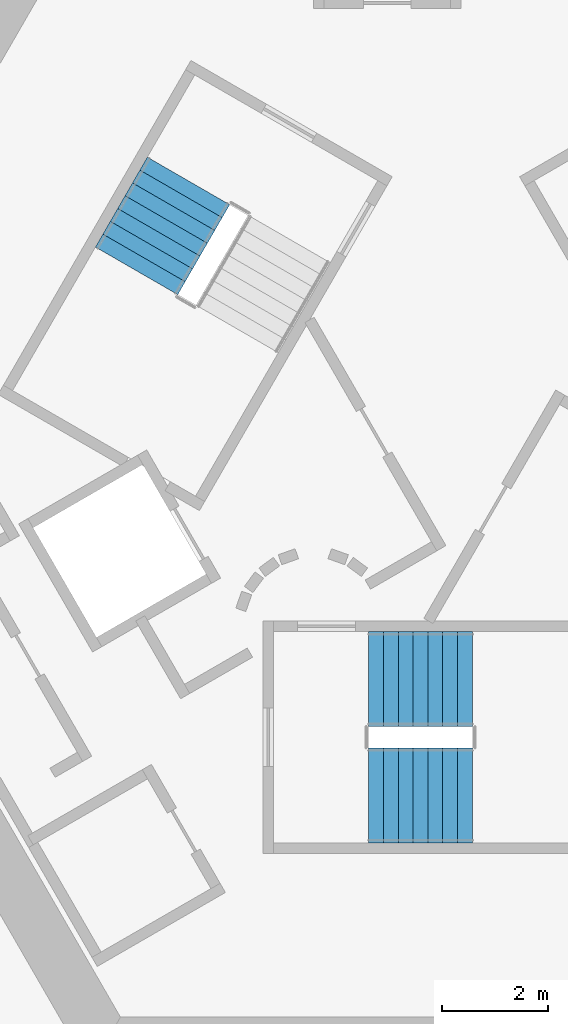
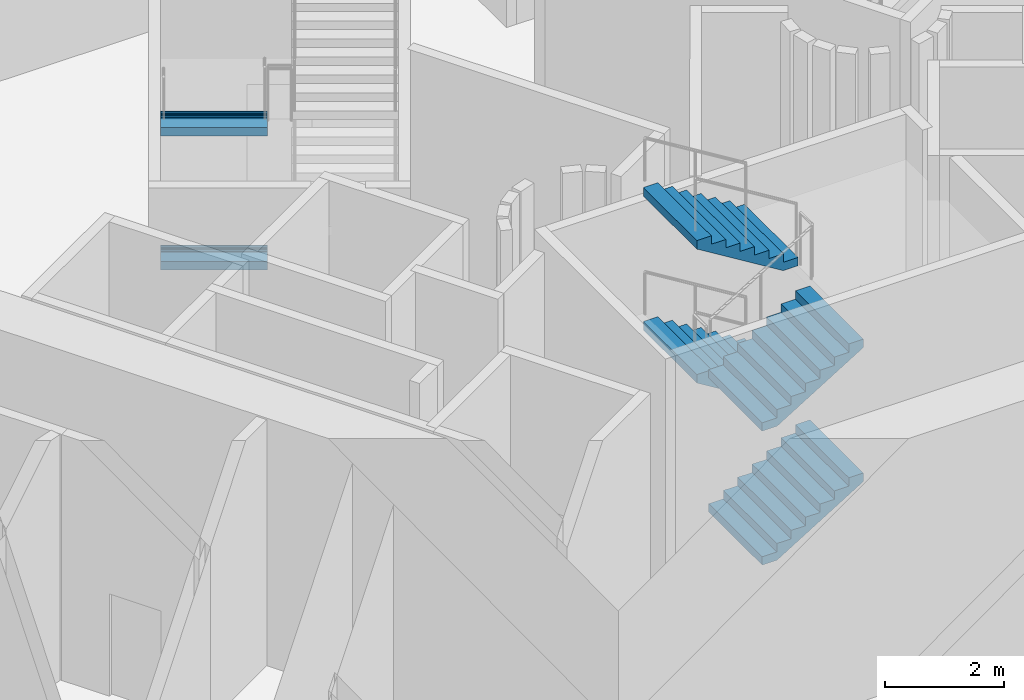
# One storey, part 9 of 12: 6 stair flights, 2 elements without a shape of their own.
"""IFC4 building model written with IfcOpenShell, lengths in metres."""

from ifc_helpers import new_model, si_unit, direction, frame, origin, place, context, subcontext, project, spatial, triangles, material, type_object, element, aggregate, save


model = new_model("IFC4")

# Units and contexts
model_context = context("Model", 3, precision=1e-05, world=origin(), true_north=direction((0.0, 1.0)))
body_context = subcontext(model_context, "Body", "Model", "MODEL_VIEW")
ifc_project = project(units=[si_unit("LENGTHUNIT", "METRE"), si_unit("AREAUNIT", "SQUARE_METRE"), si_unit("VOLUMEUNIT", "CUBIC_METRE"), si_unit("PLANEANGLEUNIT", "RADIAN"), si_unit("MASSUNIT", "GRAM", prefix="KILO")], contexts=[model_context])

# Site, building, storey
site_placement = place(None, origin())
site = spatial("IfcSite", under=ifc_project, at=site_placement, CompositionType="ELEMENT")
building_placement = place(site_placement, origin())
building = spatial("IfcBuilding", under=site, at=building_placement, Name="Entoto Arch Interchange Tower", CompositionType="ELEMENT")
storey_placement = place(building_placement, frame((0.0, 0.0, -11.0)))
storey = spatial("IfcBuildingStorey", under=building, at=storey_placement, Name="B2", CompositionType="ELEMENT", Elevation=-11.0)

# Stair, stair flights
ifc_material = material(Name="Concrete C40/50", Category="concrete")
stair_type = type_object("IfcStairType", Name="EXIT STAIR RC 1800", PredefinedType="HALF_TURN_STAIR", material=ifc_material)
stair_1_placement = place(storey_placement, origin())
stair_1 = element("IfcStair", 1, at=stair_1_placement, inside=storey, type_object=stair_type, Name="B2 Exit stair S", PredefinedType="HALF_TURN_STAIR")
stair_flight_type = type_object("IfcStairFlightType", Name="EXIT STAIR FLIGHT RC 1800", PredefinedType="STRAIGHT", material=ifc_material)
stair_flight_1_placement = place(storey_placement, frame((-1.64990234375, -4.300048828125, 0.0), z_axis=(0.0, 0.0, 1.0), x_axis=(1.0, 0.0, 0.0)))
stair_flight_1 = element("IfcStairFlight", 2, at=stair_flight_1_placement, type_object=stair_flight_type, Name="ST-S flight 1", NumberOfRisers=8, NumberOfTreads=7, PredefinedType="STRAIGHT", RiserHeight=0.171875, TreadLength=0.28, context=body_context, shape_type="Tessellation", body=[
    triangles([(-0.003, -0.900024, 0.0), (-0.003, -0.900024, 0.171875), (0.28, -0.900024, 0.171875), (0.28, -0.900024, 0.34375), (0.56, -0.900024, 0.34375), (0.56, -0.900024, 0.515625), (0.84, -0.900024, 0.515625), (0.84, -0.900024, 0.6875), (1.12, -0.900024, 0.6875), (1.12, -0.900024, 0.859375), (1.4, -0.900024, 0.859375), (1.4, -0.900024, 1.03125), (1.68, -0.900024, 1.03125), (1.68, -0.900024, 1.203125), (1.96, -0.900024, 1.203125), (1.963, -0.900024, 1.203125), (1.963, -0.900024, 1.029076), (0.286542, -0.900024, 0.0), (-0.003, 0.900024, 0.0), (-0.003, 0.900024, 0.171875), (0.28, 0.900024, 0.171875), (0.28, 0.900024, 0.34375), (0.56, 0.900024, 0.34375), (0.56, 0.900024, 0.515625), (0.84, 0.900024, 0.515625), (0.84, 0.900024, 0.6875), (1.12, 0.900024, 0.6875), (1.12, 0.900024, 0.859375), (1.4, 0.900024, 0.859375), (1.4, 0.900024, 1.03125), (1.68, 0.900024, 1.03125), (1.68, 0.900024, 1.203125), (1.96, 0.900024, 1.203125), (1.963, 0.900024, 1.203125), (1.963, 0.900024, 1.029076), (0.286542, 0.900024, 0.0), (-0.003, -0.450012, 0.0), (-0.003, -0.450012, 0.171875), (-0.003, 0.0, 0.0), (-0.003, 0.0, 0.171875), (-0.003, 0.450012, 0.0), (-0.003, 0.450012, 0.171875), (0.28, -0.450012, 0.171875), (0.28, 0.0, 0.171875), (0.28, 0.450012, 0.171875), (0.28, -0.450012, 0.34375), (0.28, 0.0, 0.34375), (0.28, 0.450012, 0.34375), (0.56, -0.450012, 0.34375), (0.56, 0.0, 0.34375), (0.56, 0.450012, 0.34375), (0.56, -0.450012, 0.515625), (0.56, 0.0, 0.515625), (0.56, 0.450012, 0.515625), (0.84, -0.450012, 0.515625), (0.84, 0.0, 0.515625), (0.84, 0.450012, 0.515625), (0.84, -0.450012, 0.6875), (0.84, 0.0, 0.6875), (0.84, 0.450012, 0.6875), (1.12, -0.450012, 0.6875), (1.12, 0.0, 0.6875), (1.12, 0.450012, 0.6875), (1.12, -0.450012, 0.859375), (1.12, 0.0, 0.859375), (1.12, 0.450012, 0.859375), (1.4, -0.450012, 0.859375), (1.4, 0.0, 0.859375), (1.4, 0.450012, 0.859375), (1.4, -0.450012, 1.03125), (1.4, 0.0, 1.03125), (1.4, 0.450012, 1.03125), (1.68, -0.450012, 1.03125), (1.68, 0.0, 1.03125), (1.68, 0.450012, 1.03125), (1.68, -0.450012, 1.203125), (1.68, 0.0, 1.203125), (1.68, 0.450012, 1.203125), (1.96, -0.450012, 1.203125), (1.96, 0.0, 1.203125), (1.96, 0.450012, 1.203125), (1.963, -0.450012, 1.203125), (1.963, 0.0, 1.203125), (1.963, 0.450012, 1.203125), (1.963, -0.450012, 1.029076), (1.963, 0.0, 1.029076), (1.963, 0.450012, 1.029076), (0.286542, -0.450012, 0.0), (0.286542, 0.0, 0.0), (0.286542, 0.450012, 0.0)], [[1, 18, 17], [17, 16, 15], [17, 15, 14], [17, 14, 13], [17, 13, 12], [17, 12, 11], [11, 10, 9], [17, 11, 9], [9, 8, 7], [17, 9, 7], [7, 6, 5], [17, 7, 5], [5, 4, 3], [17, 5, 3], [1, 17, 3], [3, 2, 1], [19, 35, 36], [35, 33, 34], [35, 32, 33], [35, 31, 32], [35, 30, 31], [35, 29, 30], [29, 27, 28], [35, 27, 29], [27, 25, 26], [35, 25, 27], [25, 23, 24], [35, 23, 25], [23, 21, 22], [35, 21, 23], [19, 21, 35], [21, 19, 20], [1, 2, 38], [1, 38, 37], [37, 38, 40], [37, 40, 39], [39, 40, 42], [39, 42, 41], [41, 42, 20], [41, 20, 19], [2, 3, 43], [2, 43, 38], [38, 43, 44], [38, 44, 40], [40, 44, 45], [40, 45, 42], [42, 45, 21], [42, 21, 20], [3, 4, 46], [3, 46, 43], [43, 46, 47], [43, 47, 44], [44, 47, 48], [44, 48, 45], [45, 48, 22], [45, 22, 21], [4, 5, 49], [4, 49, 46], [46, 49, 50], [46, 50, 47], [47, 50, 51], [47, 51, 48], [48, 51, 23], [48, 23, 22], [5, 6, 52], [5, 52, 49], [49, 52, 53], [49, 53, 50], [50, 53, 54], [50, 54, 51], [51, 54, 24], [51, 24, 23], [6, 7, 55], [6, 55, 52], [52, 55, 56], [52, 56, 53], [53, 56, 57], [53, 57, 54], [54, 57, 25], [54, 25, 24], [7, 8, 58], [7, 58, 55], [55, 58, 59], [55, 59, 56], [56, 59, 60], [56, 60, 57], [57, 60, 26], [57, 26, 25], [8, 9, 61], [8, 61, 58], [58, 61, 62], [58, 62, 59], [59, 62, 63], [59, 63, 60], [60, 63, 27], [60, 27, 26], [9, 10, 64], [9, 64, 61], [61, 64, 65], [61, 65, 62], [62, 65, 66], [62, 66, 63], [63, 66, 28], [63, 28, 27], [10, 11, 67], [10, 67, 64], [64, 67, 68], [64, 68, 65], [65, 68, 69], [65, 69, 66], [66, 69, 29], [66, 29, 28], [11, 12, 70], [11, 70, 67], [67, 70, 71], [67, 71, 68], [68, 71, 72], [68, 72, 69], [69, 72, 30], [69, 30, 29], [12, 13, 73], [12, 73, 70], [70, 73, 74], [70, 74, 71], [71, 74, 75], [71, 75, 72], [72, 75, 31], [72, 31, 30], [13, 14, 76], [13, 76, 73], [73, 76, 77], [73, 77, 74], [74, 77, 78], [74, 78, 75], [75, 78, 32], [75, 32, 31], [14, 15, 79], [14, 79, 76], [76, 79, 80], [76, 80, 77], [77, 80, 81], [77, 81, 78], [78, 81, 33], [78, 33, 32], [15, 16, 82], [15, 82, 79], [79, 82, 83], [79, 83, 80], [80, 83, 84], [80, 84, 81], [81, 84, 34], [81, 34, 33], [16, 17, 85], [16, 85, 82], [82, 85, 86], [82, 86, 83], [83, 86, 87], [83, 87, 84], [84, 87, 35], [84, 35, 34], [17, 18, 88], [17, 88, 85], [85, 88, 89], [85, 89, 86], [86, 89, 90], [86, 90, 87], [87, 90, 36], [87, 36, 35], [18, 1, 37], [18, 37, 88], [88, 37, 39], [88, 39, 89], [89, 39, 41], [89, 41, 90], [90, 41, 19], [90, 19, 36]], closed=True),
])
stair_flight_2_placement = place(storey_placement, frame((0.31005859375, -2.10009765625, 1.375), z_axis=(0.0, 0.0, 1.0), x_axis=(-1.0, 0.0, 0.0)))
stair_flight_2 = element("IfcStairFlight", 3, at=stair_flight_2_placement, type_object=stair_flight_type, Name="ST-S flight 2", NumberOfRisers=8, NumberOfTreads=7, PredefinedType="STRAIGHT", RiserHeight=0.171875, TreadLength=0.28, context=body_context, shape_type="Tessellation", body=[
    triangles([(-0.003, -0.900024, 0.0), (-0.003, -0.900024, 0.171875), (0.28, -0.900024, 0.171875), (0.28, -0.900024, 0.34375), (0.56, -0.900024, 0.34375), (0.56, -0.900024, 0.515625), (0.84, -0.900024, 0.515625), (0.84, -0.900024, 0.6875), (1.12, -0.900024, 0.6875), (1.12, -0.900024, 0.859375), (1.4, -0.900024, 0.859375), (1.4, -0.900024, 1.03125), (1.68, -0.900024, 1.03125), (1.68, -0.900024, 1.203125), (1.96, -0.900024, 1.203125), (1.963, -0.900024, 1.203125), (1.963, -0.900024, 1.029076), (0.286542, -0.900024, 0.0), (-0.003, 0.900024, 0.0), (-0.003, 0.900024, 0.171875), (0.28, 0.900024, 0.171875), (0.28, 0.900024, 0.34375), (0.56, 0.900024, 0.34375), (0.56, 0.900024, 0.515625), (0.84, 0.900024, 0.515625), (0.84, 0.900024, 0.6875), (1.12, 0.900024, 0.6875), (1.12, 0.900024, 0.859375), (1.4, 0.900024, 0.859375), (1.4, 0.900024, 1.03125), (1.68, 0.900024, 1.03125), (1.68, 0.900024, 1.203125), (1.96, 0.900024, 1.203125), (1.963, 0.900024, 1.203125), (1.963, 0.900024, 1.029076), (0.286542, 0.900024, 0.0), (-0.003, -0.450012, 0.0), (-0.003, -0.450012, 0.171875), (-0.003, 0.0, 0.0), (-0.003, 0.0, 0.171875), (-0.003, 0.450012, 0.0), (-0.003, 0.450012, 0.171875), (0.28, -0.450012, 0.171875), (0.28, 0.0, 0.171875), (0.28, 0.450012, 0.171875), (0.28, -0.450012, 0.34375), (0.28, 0.0, 0.34375), (0.28, 0.450012, 0.34375), (0.56, -0.450012, 0.34375), (0.56, 0.0, 0.34375), (0.56, 0.450012, 0.34375), (0.56, -0.450012, 0.515625), (0.56, 0.0, 0.515625), (0.56, 0.450012, 0.515625), (0.84, -0.450012, 0.515625), (0.84, 0.0, 0.515625), (0.84, 0.450012, 0.515625), (0.84, -0.450012, 0.6875), (0.84, 0.0, 0.6875), (0.84, 0.450012, 0.6875), (1.12, -0.450012, 0.6875), (1.12, 0.0, 0.6875), (1.12, 0.450012, 0.6875), (1.12, -0.450012, 0.859375), (1.12, 0.0, 0.859375), (1.12, 0.450012, 0.859375), (1.4, -0.450012, 0.859375), (1.4, 0.0, 0.859375), (1.4, 0.450012, 0.859375), (1.4, -0.450012, 1.03125), (1.4, 0.0, 1.03125), (1.4, 0.450012, 1.03125), (1.68, -0.450012, 1.03125), (1.68, 0.0, 1.03125), (1.68, 0.450012, 1.03125), (1.68, -0.450012, 1.203125), (1.68, 0.0, 1.203125), (1.68, 0.450012, 1.203125), (1.96, -0.450012, 1.203125), (1.96, 0.0, 1.203125), (1.96, 0.450012, 1.203125), (1.963, -0.450012, 1.203125), (1.963, 0.0, 1.203125), (1.963, 0.450012, 1.203125), (1.963, -0.450012, 1.029076), (1.963, 0.0, 1.029076), (1.963, 0.450012, 1.029076), (0.286542, -0.450012, 0.0), (0.286542, 0.0, 0.0), (0.286542, 0.450012, 0.0)], [[1, 18, 17], [17, 16, 15], [17, 15, 14], [17, 14, 13], [17, 13, 12], [17, 12, 11], [11, 10, 9], [17, 11, 9], [9, 8, 7], [17, 9, 7], [7, 6, 5], [17, 7, 5], [5, 4, 3], [17, 5, 3], [1, 17, 3], [3, 2, 1], [19, 35, 36], [35, 33, 34], [35, 32, 33], [35, 31, 32], [35, 30, 31], [35, 29, 30], [29, 27, 28], [35, 27, 29], [27, 25, 26], [35, 25, 27], [25, 23, 24], [35, 23, 25], [23, 21, 22], [35, 21, 23], [19, 21, 35], [21, 19, 20], [1, 2, 38], [1, 38, 37], [37, 38, 40], [37, 40, 39], [39, 40, 42], [39, 42, 41], [41, 42, 20], [41, 20, 19], [2, 3, 43], [2, 43, 38], [38, 43, 44], [38, 44, 40], [40, 44, 45], [40, 45, 42], [42, 45, 21], [42, 21, 20], [3, 4, 46], [3, 46, 43], [43, 46, 47], [43, 47, 44], [44, 47, 48], [44, 48, 45], [45, 48, 22], [45, 22, 21], [4, 5, 49], [4, 49, 46], [46, 49, 50], [46, 50, 47], [47, 50, 51], [47, 51, 48], [48, 51, 23], [48, 23, 22], [5, 6, 52], [5, 52, 49], [49, 52, 53], [49, 53, 50], [50, 53, 54], [50, 54, 51], [51, 54, 24], [51, 24, 23], [6, 7, 55], [6, 55, 52], [52, 55, 56], [52, 56, 53], [53, 56, 57], [53, 57, 54], [54, 57, 25], [54, 25, 24], [7, 8, 58], [7, 58, 55], [55, 58, 59], [55, 59, 56], [56, 59, 60], [56, 60, 57], [57, 60, 26], [57, 26, 25], [8, 9, 61], [8, 61, 58], [58, 61, 62], [58, 62, 59], [59, 62, 63], [59, 63, 60], [60, 63, 27], [60, 27, 26], [9, 10, 64], [9, 64, 61], [61, 64, 65], [61, 65, 62], [62, 65, 66], [62, 66, 63], [63, 66, 28], [63, 28, 27], [10, 11, 67], [10, 67, 64], [64, 67, 68], [64, 68, 65], [65, 68, 69], [65, 69, 66], [66, 69, 29], [66, 29, 28], [11, 12, 70], [11, 70, 67], [67, 70, 71], [67, 71, 68], [68, 71, 72], [68, 72, 69], [69, 72, 30], [69, 30, 29], [12, 13, 73], [12, 73, 70], [70, 73, 74], [70, 74, 71], [71, 74, 75], [71, 75, 72], [72, 75, 31], [72, 31, 30], [13, 14, 76], [13, 76, 73], [73, 76, 77], [73, 77, 74], [74, 77, 78], [74, 78, 75], [75, 78, 32], [75, 32, 31], [14, 15, 79], [14, 79, 76], [76, 79, 80], [76, 80, 77], [77, 80, 81], [77, 81, 78], [78, 81, 33], [78, 33, 32], [15, 16, 82], [15, 82, 79], [79, 82, 83], [79, 83, 80], [80, 83, 84], [80, 84, 81], [81, 84, 34], [81, 34, 33], [16, 17, 85], [16, 85, 82], [82, 85, 86], [82, 86, 83], [83, 86, 87], [83, 87, 84], [84, 87, 35], [84, 35, 34], [17, 18, 88], [17, 88, 85], [85, 88, 89], [85, 89, 86], [86, 89, 90], [86, 90, 87], [87, 90, 36], [87, 36, 35], [18, 1, 37], [18, 37, 88], [88, 37, 39], [88, 39, 89], [89, 39, 41], [89, 41, 90], [90, 41, 19], [90, 19, 36]], closed=True),
])
stair_flight_3_placement = place(storey_placement, frame((-1.64990234375, -4.300048828125, 2.75), z_axis=(0.0, 0.0, 1.0), x_axis=(1.0, 0.0, 0.0)))
stair_flight_3 = element("IfcStairFlight", 4, at=stair_flight_3_placement, type_object=stair_flight_type, Name="ST-S flight 3", NumberOfRisers=8, NumberOfTreads=7, PredefinedType="STRAIGHT", RiserHeight=0.171875, TreadLength=0.28, context=body_context, shape_type="Tessellation", body=[
    triangles([(-0.003, -0.900024, 0.0), (-0.003, -0.900024, 0.171875), (0.28, -0.900024, 0.171875), (0.28, -0.900024, 0.34375), (0.56, -0.900024, 0.34375), (0.56, -0.900024, 0.515625), (0.84, -0.900024, 0.515625), (0.84, -0.900024, 0.6875), (1.12, -0.900024, 0.6875), (1.12, -0.900024, 0.859375), (1.4, -0.900024, 0.859375), (1.4, -0.900024, 1.03125), (1.68, -0.900024, 1.03125), (1.68, -0.900024, 1.203125), (1.96, -0.900024, 1.203125), (1.963, -0.900024, 1.203125), (1.963, -0.900024, 1.029076), (0.286542, -0.900024, 0.0), (-0.003, 0.900024, 0.0), (-0.003, 0.900024, 0.171875), (0.28, 0.900024, 0.171875), (0.28, 0.900024, 0.34375), (0.56, 0.900024, 0.34375), (0.56, 0.900024, 0.515625), (0.84, 0.900024, 0.515625), (0.84, 0.900024, 0.6875), (1.12, 0.900024, 0.6875), (1.12, 0.900024, 0.859375), (1.4, 0.900024, 0.859375), (1.4, 0.900024, 1.03125), (1.68, 0.900024, 1.03125), (1.68, 0.900024, 1.203125), (1.96, 0.900024, 1.203125), (1.963, 0.900024, 1.203125), (1.963, 0.900024, 1.029076), (0.286542, 0.900024, 0.0), (-0.003, -0.450012, 0.0), (-0.003, -0.450012, 0.171875), (-0.003, 0.0, 0.0), (-0.003, 0.0, 0.171875), (-0.003, 0.450012, 0.0), (-0.003, 0.450012, 0.171875), (0.28, -0.450012, 0.171875), (0.28, 0.0, 0.171875), (0.28, 0.450012, 0.171875), (0.28, -0.450012, 0.34375), (0.28, 0.0, 0.34375), (0.28, 0.450012, 0.34375), (0.56, -0.450012, 0.34375), (0.56, 0.0, 0.34375), (0.56, 0.450012, 0.34375), (0.56, -0.450012, 0.515625), (0.56, 0.0, 0.515625), (0.56, 0.450012, 0.515625), (0.84, -0.450012, 0.515625), (0.84, 0.0, 0.515625), (0.84, 0.450012, 0.515625), (0.84, -0.450012, 0.6875), (0.84, 0.0, 0.6875), (0.84, 0.450012, 0.6875), (1.12, -0.450012, 0.6875), (1.12, 0.0, 0.6875), (1.12, 0.450012, 0.6875), (1.12, -0.450012, 0.859375), (1.12, 0.0, 0.859375), (1.12, 0.450012, 0.859375), (1.4, -0.450012, 0.859375), (1.4, 0.0, 0.859375), (1.4, 0.450012, 0.859375), (1.4, -0.450012, 1.03125), (1.4, 0.0, 1.03125), (1.4, 0.450012, 1.03125), (1.68, -0.450012, 1.03125), (1.68, 0.0, 1.03125), (1.68, 0.450012, 1.03125), (1.68, -0.450012, 1.203125), (1.68, 0.0, 1.203125), (1.68, 0.450012, 1.203125), (1.96, -0.450012, 1.203125), (1.96, 0.0, 1.203125), (1.96, 0.450012, 1.203125), (1.963, -0.450012, 1.203125), (1.963, 0.0, 1.203125), (1.963, 0.450012, 1.203125), (1.963, -0.450012, 1.029076), (1.963, 0.0, 1.029076), (1.963, 0.450012, 1.029076), (0.286542, -0.450012, 0.0), (0.286542, 0.0, 0.0), (0.286542, 0.450012, 0.0)], [[1, 18, 17], [17, 16, 15], [17, 15, 14], [17, 14, 13], [17, 13, 12], [17, 12, 11], [11, 10, 9], [17, 11, 9], [9, 8, 7], [17, 9, 7], [7, 6, 5], [17, 7, 5], [5, 4, 3], [17, 5, 3], [1, 17, 3], [3, 2, 1], [19, 35, 36], [35, 33, 34], [35, 32, 33], [35, 31, 32], [35, 30, 31], [35, 29, 30], [29, 27, 28], [35, 27, 29], [27, 25, 26], [35, 25, 27], [25, 23, 24], [35, 23, 25], [23, 21, 22], [35, 21, 23], [19, 21, 35], [21, 19, 20], [1, 2, 38], [1, 38, 37], [37, 38, 40], [37, 40, 39], [39, 40, 42], [39, 42, 41], [41, 42, 20], [41, 20, 19], [2, 3, 43], [2, 43, 38], [38, 43, 44], [38, 44, 40], [40, 44, 45], [40, 45, 42], [42, 45, 21], [42, 21, 20], [3, 4, 46], [3, 46, 43], [43, 46, 47], [43, 47, 44], [44, 47, 48], [44, 48, 45], [45, 48, 22], [45, 22, 21], [4, 5, 49], [4, 49, 46], [46, 49, 50], [46, 50, 47], [47, 50, 51], [47, 51, 48], [48, 51, 23], [48, 23, 22], [5, 6, 52], [5, 52, 49], [49, 52, 53], [49, 53, 50], [50, 53, 54], [50, 54, 51], [51, 54, 24], [51, 24, 23], [6, 7, 55], [6, 55, 52], [52, 55, 56], [52, 56, 53], [53, 56, 57], [53, 57, 54], [54, 57, 25], [54, 25, 24], [7, 8, 58], [7, 58, 55], [55, 58, 59], [55, 59, 56], [56, 59, 60], [56, 60, 57], [57, 60, 26], [57, 26, 25], [8, 9, 61], [8, 61, 58], [58, 61, 62], [58, 62, 59], [59, 62, 63], [59, 63, 60], [60, 63, 27], [60, 27, 26], [9, 10, 64], [9, 64, 61], [61, 64, 65], [61, 65, 62], [62, 65, 66], [62, 66, 63], [63, 66, 28], [63, 28, 27], [10, 11, 67], [10, 67, 64], [64, 67, 68], [64, 68, 65], [65, 68, 69], [65, 69, 66], [66, 69, 29], [66, 29, 28], [11, 12, 70], [11, 70, 67], [67, 70, 71], [67, 71, 68], [68, 71, 72], [68, 72, 69], [69, 72, 30], [69, 30, 29], [12, 13, 73], [12, 73, 70], [70, 73, 74], [70, 74, 71], [71, 74, 75], [71, 75, 72], [72, 75, 31], [72, 31, 30], [13, 14, 76], [13, 76, 73], [73, 76, 77], [73, 77, 74], [74, 77, 78], [74, 78, 75], [75, 78, 32], [75, 32, 31], [14, 15, 79], [14, 79, 76], [76, 79, 80], [76, 80, 77], [77, 80, 81], [77, 81, 78], [78, 81, 33], [78, 33, 32], [15, 16, 82], [15, 82, 79], [79, 82, 83], [79, 83, 80], [80, 83, 84], [80, 84, 81], [81, 84, 34], [81, 34, 33], [16, 17, 85], [16, 85, 82], [82, 85, 86], [82, 86, 83], [83, 86, 87], [83, 87, 84], [84, 87, 35], [84, 35, 34], [17, 18, 88], [17, 88, 85], [85, 88, 89], [85, 89, 86], [86, 89, 90], [86, 90, 87], [87, 90, 36], [87, 36, 35], [18, 1, 37], [18, 37, 88], [88, 37, 39], [88, 39, 89], [89, 39, 41], [89, 41, 90], [90, 41, 19], [90, 19, 36]], closed=True),
])
stair_flight_4_placement = place(storey_placement, frame((0.31005859375, -2.10009765625, 4.125), z_axis=(0.0, 0.0, 1.0), x_axis=(-1.0, 0.0, 0.0)))
stair_flight_4 = element("IfcStairFlight", 5, at=stair_flight_4_placement, type_object=stair_flight_type, Name="ST-S flight 4", NumberOfRisers=8, NumberOfTreads=7, PredefinedType="STRAIGHT", RiserHeight=0.171875, TreadLength=0.28, context=body_context, shape_type="Tessellation", body=[
    triangles([(-0.003, -0.900024, 0.0), (-0.003, -0.900024, 0.171875), (0.28, -0.900024, 0.171875), (0.28, -0.900024, 0.34375), (0.56, -0.900024, 0.34375), (0.56, -0.900024, 0.515625), (0.84, -0.900024, 0.515625), (0.84, -0.900024, 0.6875), (1.12, -0.900024, 0.6875), (1.12, -0.900024, 0.859375), (1.4, -0.900024, 0.859375), (1.4, -0.900024, 1.03125), (1.68, -0.900024, 1.03125), (1.68, -0.900024, 1.203125), (1.96, -0.900024, 1.203125), (1.963, -0.900024, 1.203125), (1.963, -0.900024, 1.029076), (0.286542, -0.900024, 0.0), (-0.003, 0.900024, 0.0), (-0.003, 0.900024, 0.171875), (0.28, 0.900024, 0.171875), (0.28, 0.900024, 0.34375), (0.56, 0.900024, 0.34375), (0.56, 0.900024, 0.515625), (0.84, 0.900024, 0.515625), (0.84, 0.900024, 0.6875), (1.12, 0.900024, 0.6875), (1.12, 0.900024, 0.859375), (1.4, 0.900024, 0.859375), (1.4, 0.900024, 1.03125), (1.68, 0.900024, 1.03125), (1.68, 0.900024, 1.203125), (1.96, 0.900024, 1.203125), (1.963, 0.900024, 1.203125), (1.963, 0.900024, 1.029076), (0.286542, 0.900024, 0.0), (-0.003, -0.450012, 0.0), (-0.003, -0.450012, 0.171875), (-0.003, 0.0, 0.0), (-0.003, 0.0, 0.171875), (-0.003, 0.450012, 0.0), (-0.003, 0.450012, 0.171875), (0.28, -0.450012, 0.171875), (0.28, 0.0, 0.171875), (0.28, 0.450012, 0.171875), (0.28, -0.450012, 0.34375), (0.28, 0.0, 0.34375), (0.28, 0.450012, 0.34375), (0.56, -0.450012, 0.34375), (0.56, 0.0, 0.34375), (0.56, 0.450012, 0.34375), (0.56, -0.450012, 0.515625), (0.56, 0.0, 0.515625), (0.56, 0.450012, 0.515625), (0.84, -0.450012, 0.515625), (0.84, 0.0, 0.515625), (0.84, 0.450012, 0.515625), (0.84, -0.450012, 0.6875), (0.84, 0.0, 0.6875), (0.84, 0.450012, 0.6875), (1.12, -0.450012, 0.6875), (1.12, 0.0, 0.6875), (1.12, 0.450012, 0.6875), (1.12, -0.450012, 0.859375), (1.12, 0.0, 0.859375), (1.12, 0.450012, 0.859375), (1.4, -0.450012, 0.859375), (1.4, 0.0, 0.859375), (1.4, 0.450012, 0.859375), (1.4, -0.450012, 1.03125), (1.4, 0.0, 1.03125), (1.4, 0.450012, 1.03125), (1.68, -0.450012, 1.03125), (1.68, 0.0, 1.03125), (1.68, 0.450012, 1.03125), (1.68, -0.450012, 1.203125), (1.68, 0.0, 1.203125), (1.68, 0.450012, 1.203125), (1.96, -0.450012, 1.203125), (1.96, 0.0, 1.203125), (1.96, 0.450012, 1.203125), (1.963, -0.450012, 1.203125), (1.963, 0.0, 1.203125), (1.963, 0.450012, 1.203125), (1.963, -0.450012, 1.029076), (1.963, 0.0, 1.029076), (1.963, 0.450012, 1.029076), (0.286542, -0.450012, 0.0), (0.286542, 0.0, 0.0), (0.286542, 0.450012, 0.0)], [[1, 18, 17], [17, 16, 15], [17, 15, 14], [17, 14, 13], [17, 13, 12], [17, 12, 11], [11, 10, 9], [17, 11, 9], [9, 8, 7], [17, 9, 7], [7, 6, 5], [17, 7, 5], [5, 4, 3], [17, 5, 3], [1, 17, 3], [3, 2, 1], [19, 35, 36], [35, 33, 34], [35, 32, 33], [35, 31, 32], [35, 30, 31], [35, 29, 30], [29, 27, 28], [35, 27, 29], [27, 25, 26], [35, 25, 27], [25, 23, 24], [35, 23, 25], [23, 21, 22], [35, 21, 23], [19, 21, 35], [21, 19, 20], [1, 2, 38], [1, 38, 37], [37, 38, 40], [37, 40, 39], [39, 40, 42], [39, 42, 41], [41, 42, 20], [41, 20, 19], [2, 3, 43], [2, 43, 38], [38, 43, 44], [38, 44, 40], [40, 44, 45], [40, 45, 42], [42, 45, 21], [42, 21, 20], [3, 4, 46], [3, 46, 43], [43, 46, 47], [43, 47, 44], [44, 47, 48], [44, 48, 45], [45, 48, 22], [45, 22, 21], [4, 5, 49], [4, 49, 46], [46, 49, 50], [46, 50, 47], [47, 50, 51], [47, 51, 48], [48, 51, 23], [48, 23, 22], [5, 6, 52], [5, 52, 49], [49, 52, 53], [49, 53, 50], [50, 53, 54], [50, 54, 51], [51, 54, 24], [51, 24, 23], [6, 7, 55], [6, 55, 52], [52, 55, 56], [52, 56, 53], [53, 56, 57], [53, 57, 54], [54, 57, 25], [54, 25, 24], [7, 8, 58], [7, 58, 55], [55, 58, 59], [55, 59, 56], [56, 59, 60], [56, 60, 57], [57, 60, 26], [57, 26, 25], [8, 9, 61], [8, 61, 58], [58, 61, 62], [58, 62, 59], [59, 62, 63], [59, 63, 60], [60, 63, 27], [60, 27, 26], [9, 10, 64], [9, 64, 61], [61, 64, 65], [61, 65, 62], [62, 65, 66], [62, 66, 63], [63, 66, 28], [63, 28, 27], [10, 11, 67], [10, 67, 64], [64, 67, 68], [64, 68, 65], [65, 68, 69], [65, 69, 66], [66, 69, 29], [66, 29, 28], [11, 12, 70], [11, 70, 67], [67, 70, 71], [67, 71, 68], [68, 71, 72], [68, 72, 69], [69, 72, 30], [69, 30, 29], [12, 13, 73], [12, 73, 70], [70, 73, 74], [70, 74, 71], [71, 74, 75], [71, 75, 72], [72, 75, 31], [72, 31, 30], [13, 14, 76], [13, 76, 73], [73, 76, 77], [73, 77, 74], [74, 77, 78], [74, 78, 75], [75, 78, 32], [75, 32, 31], [14, 15, 79], [14, 79, 76], [76, 79, 80], [76, 80, 77], [77, 80, 81], [77, 81, 78], [78, 81, 33], [78, 33, 32], [15, 16, 82], [15, 82, 79], [79, 82, 83], [79, 83, 80], [80, 83, 84], [80, 84, 81], [81, 84, 34], [81, 34, 33], [16, 17, 85], [16, 85, 82], [82, 85, 86], [82, 86, 83], [83, 86, 87], [83, 87, 84], [84, 87, 35], [84, 35, 34], [17, 18, 88], [17, 88, 85], [85, 88, 89], [85, 89, 86], [86, 89, 90], [86, 90, 87], [87, 90, 36], [87, 36, 35], [18, 1, 37], [18, 37, 88], [88, 37, 39], [88, 39, 89], [89, 39, 41], [89, 41, 90], [90, 41, 19], [90, 19, 36]], closed=True),
])
aggregate(stair_1, [stair_flight_1, stair_flight_2, stair_flight_3, stair_flight_4])

stair_2_placement = place(storey_placement, origin())
stair_2 = element("IfcStair", 6, at=stair_2_placement, inside=storey, type_object=stair_type, Name="B2 Exit stair NW", PredefinedType="HALF_TURN_STAIR")
stair_flight_5_placement = place(storey_placement, frame((-5.06396484375, 7.328857421875, 0.0), z_axis=(0.0, 0.0, 1.0), x_axis=(-0.5, -0.866025403784, 0.0)))
stair_flight_5 = element("IfcStairFlight", 7, at=stair_flight_5_placement, type_object=stair_flight_type, Name="ST-NW flight 1", NumberOfRisers=8, NumberOfTreads=7, PredefinedType="STRAIGHT", RiserHeight=0.171875, TreadLength=0.28, context=body_context, shape_type="Tessellation", body=[
    triangles([(-0.003, -0.900024, 0.0), (-0.003, -0.900024, 0.171875), (0.28, -0.900024, 0.171875), (0.28, -0.900024, 0.34375), (0.56, -0.900024, 0.34375), (0.56, -0.900024, 0.515625), (0.84, -0.900024, 0.515625), (0.84, -0.900024, 0.6875), (1.12, -0.900024, 0.6875), (1.12, -0.900024, 0.859375), (1.4, -0.900024, 0.859375), (1.4, -0.900024, 1.03125), (1.68, -0.900024, 1.03125), (1.68, -0.900024, 1.203125), (1.96, -0.900024, 1.203125), (1.963, -0.900024, 1.203125), (1.963, -0.900024, 1.029076), (0.286542, -0.900024, 0.0), (-0.003, 0.900024, 0.0), (-0.003, 0.900024, 0.171875), (0.28, 0.900024, 0.171875), (0.28, 0.900024, 0.34375), (0.56, 0.900024, 0.34375), (0.56, 0.900024, 0.515625), (0.84, 0.900024, 0.515625), (0.84, 0.900024, 0.6875), (1.12, 0.900024, 0.6875), (1.12, 0.900024, 0.859375), (1.4, 0.900024, 0.859375), (1.4, 0.900024, 1.03125), (1.68, 0.900024, 1.03125), (1.68, 0.900024, 1.203125), (1.96, 0.900024, 1.203125), (1.963, 0.900024, 1.203125), (1.963, 0.900024, 1.029076), (0.286542, 0.900024, 0.0), (-0.003, -0.450012, 0.0), (-0.003, -0.450012, 0.171875), (-0.003, 0.0, 0.0), (-0.003, 0.0, 0.171875), (-0.003, 0.450012, 0.0), (-0.003, 0.450012, 0.171875), (0.28, -0.450012, 0.171875), (0.28, 0.0, 0.171875), (0.28, 0.450012, 0.171875), (0.28, -0.450012, 0.34375), (0.28, 0.0, 0.34375), (0.28, 0.450012, 0.34375), (0.56, -0.450012, 0.34375), (0.56, 0.0, 0.34375), (0.56, 0.450012, 0.34375), (0.56, -0.450012, 0.515625), (0.56, 0.0, 0.515625), (0.56, 0.450012, 0.515625), (0.84, -0.450012, 0.515625), (0.84, 0.0, 0.515625), (0.84, 0.450012, 0.515625), (0.84, -0.450012, 0.6875), (0.84, 0.0, 0.6875), (0.84, 0.450012, 0.6875), (1.12, -0.450012, 0.6875), (1.12, 0.0, 0.6875), (1.12, 0.450012, 0.6875), (1.12, -0.450012, 0.859375), (1.12, 0.0, 0.859375), (1.12, 0.450012, 0.859375), (1.4, -0.450012, 0.859375), (1.4, 0.0, 0.859375), (1.4, 0.450012, 0.859375), (1.4, -0.450012, 1.03125), (1.4, 0.0, 1.03125), (1.4, 0.450012, 1.03125), (1.68, -0.450012, 1.03125), (1.68, 0.0, 1.03125), (1.68, 0.450012, 1.03125), (1.68, -0.450012, 1.203125), (1.68, 0.0, 1.203125), (1.68, 0.450012, 1.203125), (1.96, -0.450012, 1.203125), (1.96, 0.0, 1.203125), (1.96, 0.450012, 1.203125), (1.963, -0.450012, 1.203125), (1.963, 0.0, 1.203125), (1.963, 0.450012, 1.203125), (1.963, -0.450012, 1.029076), (1.963, 0.0, 1.029076), (1.963, 0.450012, 1.029076), (0.286542, -0.450012, 0.0), (0.286542, 0.0, 0.0), (0.286542, 0.450012, 0.0)], [[1, 18, 17], [17, 16, 15], [17, 15, 14], [17, 14, 13], [17, 13, 12], [17, 12, 11], [11, 10, 9], [17, 11, 9], [9, 8, 7], [17, 9, 7], [7, 6, 5], [17, 7, 5], [5, 4, 3], [17, 5, 3], [1, 17, 3], [3, 2, 1], [19, 35, 36], [35, 33, 34], [35, 32, 33], [35, 31, 32], [35, 30, 31], [35, 29, 30], [29, 27, 28], [35, 27, 29], [27, 25, 26], [35, 25, 27], [25, 23, 24], [35, 23, 25], [23, 21, 22], [35, 21, 23], [19, 21, 35], [21, 19, 20], [1, 2, 38], [1, 38, 37], [37, 38, 40], [37, 40, 39], [39, 40, 42], [39, 42, 41], [41, 42, 20], [41, 20, 19], [2, 3, 43], [2, 43, 38], [38, 43, 44], [38, 44, 40], [40, 44, 45], [40, 45, 42], [42, 45, 21], [42, 21, 20], [3, 4, 46], [3, 46, 43], [43, 46, 47], [43, 47, 44], [44, 47, 48], [44, 48, 45], [45, 48, 22], [45, 22, 21], [4, 5, 49], [4, 49, 46], [46, 49, 50], [46, 50, 47], [47, 50, 51], [47, 51, 48], [48, 51, 23], [48, 23, 22], [5, 6, 52], [5, 52, 49], [49, 52, 53], [49, 53, 50], [50, 53, 54], [50, 54, 51], [51, 54, 24], [51, 24, 23], [6, 7, 55], [6, 55, 52], [52, 55, 56], [52, 56, 53], [53, 56, 57], [53, 57, 54], [54, 57, 25], [54, 25, 24], [7, 8, 58], [7, 58, 55], [55, 58, 59], [55, 59, 56], [56, 59, 60], [56, 60, 57], [57, 60, 26], [57, 26, 25], [8, 9, 61], [8, 61, 58], [58, 61, 62], [58, 62, 59], [59, 62, 63], [59, 63, 60], [60, 63, 27], [60, 27, 26], [9, 10, 64], [9, 64, 61], [61, 64, 65], [61, 65, 62], [62, 65, 66], [62, 66, 63], [63, 66, 28], [63, 28, 27], [10, 11, 67], [10, 67, 64], [64, 67, 68], [64, 68, 65], [65, 68, 69], [65, 69, 66], [66, 69, 29], [66, 29, 28], [11, 12, 70], [11, 70, 67], [67, 70, 71], [67, 71, 68], [68, 71, 72], [68, 72, 69], [69, 72, 30], [69, 30, 29], [12, 13, 73], [12, 73, 70], [70, 73, 74], [70, 74, 71], [71, 74, 75], [71, 75, 72], [72, 75, 31], [72, 31, 30], [13, 14, 76], [13, 76, 73], [73, 76, 77], [73, 77, 74], [74, 77, 78], [74, 78, 75], [75, 78, 32], [75, 32, 31], [14, 15, 79], [14, 79, 76], [76, 79, 80], [76, 80, 77], [77, 80, 81], [77, 81, 78], [78, 81, 33], [78, 33, 32], [15, 16, 82], [15, 82, 79], [79, 82, 83], [79, 83, 80], [80, 83, 84], [80, 84, 81], [81, 84, 34], [81, 34, 33], [16, 17, 85], [16, 85, 82], [82, 85, 86], [82, 86, 83], [83, 86, 87], [83, 87, 84], [84, 87, 35], [84, 35, 34], [17, 18, 88], [17, 88, 85], [85, 88, 89], [85, 89, 86], [86, 89, 90], [86, 90, 87], [87, 90, 36], [87, 36, 35], [18, 1, 37], [18, 37, 88], [88, 37, 39], [88, 39, 89], [89, 39, 41], [89, 41, 90], [90, 41, 19], [90, 19, 36]], closed=True),
])
stair_flight_6_placement = place(storey_placement, frame((-5.06396484375, 7.328857421875, 2.75), z_axis=(0.0, 0.0, 1.0), x_axis=(-0.5, -0.866025403784, 0.0)))
stair_flight_6 = element("IfcStairFlight", 8, at=stair_flight_6_placement, type_object=stair_flight_type, Name="ST-NW flight 3", NumberOfRisers=8, NumberOfTreads=7, PredefinedType="STRAIGHT", RiserHeight=0.171875, TreadLength=0.28, context=body_context, shape_type="Tessellation", body=[
    triangles([(-0.003, -0.900024, 0.0), (-0.003, -0.900024, 0.171875), (0.28, -0.900024, 0.171875), (0.28, -0.900024, 0.34375), (0.56, -0.900024, 0.34375), (0.56, -0.900024, 0.515625), (0.84, -0.900024, 0.515625), (0.84, -0.900024, 0.6875), (1.12, -0.900024, 0.6875), (1.12, -0.900024, 0.859375), (1.4, -0.900024, 0.859375), (1.4, -0.900024, 1.03125), (1.68, -0.900024, 1.03125), (1.68, -0.900024, 1.203125), (1.96, -0.900024, 1.203125), (1.963, -0.900024, 1.203125), (1.963, -0.900024, 1.029076), (0.286542, -0.900024, 0.0), (-0.003, 0.900024, 0.0), (-0.003, 0.900024, 0.171875), (0.28, 0.900024, 0.171875), (0.28, 0.900024, 0.34375), (0.56, 0.900024, 0.34375), (0.56, 0.900024, 0.515625), (0.84, 0.900024, 0.515625), (0.84, 0.900024, 0.6875), (1.12, 0.900024, 0.6875), (1.12, 0.900024, 0.859375), (1.4, 0.900024, 0.859375), (1.4, 0.900024, 1.03125), (1.68, 0.900024, 1.03125), (1.68, 0.900024, 1.203125), (1.96, 0.900024, 1.203125), (1.963, 0.900024, 1.203125), (1.963, 0.900024, 1.029076), (0.286542, 0.900024, 0.0), (-0.003, -0.450012, 0.0), (-0.003, -0.450012, 0.171875), (-0.003, 0.0, 0.0), (-0.003, 0.0, 0.171875), (-0.003, 0.450012, 0.0), (-0.003, 0.450012, 0.171875), (0.28, -0.450012, 0.171875), (0.28, 0.0, 0.171875), (0.28, 0.450012, 0.171875), (0.28, -0.450012, 0.34375), (0.28, 0.0, 0.34375), (0.28, 0.450012, 0.34375), (0.56, -0.450012, 0.34375), (0.56, 0.0, 0.34375), (0.56, 0.450012, 0.34375), (0.56, -0.450012, 0.515625), (0.56, 0.0, 0.515625), (0.56, 0.450012, 0.515625), (0.84, -0.450012, 0.515625), (0.84, 0.0, 0.515625), (0.84, 0.450012, 0.515625), (0.84, -0.450012, 0.6875), (0.84, 0.0, 0.6875), (0.84, 0.450012, 0.6875), (1.12, -0.450012, 0.6875), (1.12, 0.0, 0.6875), (1.12, 0.450012, 0.6875), (1.12, -0.450012, 0.859375), (1.12, 0.0, 0.859375), (1.12, 0.450012, 0.859375), (1.4, -0.450012, 0.859375), (1.4, 0.0, 0.859375), (1.4, 0.450012, 0.859375), (1.4, -0.450012, 1.03125), (1.4, 0.0, 1.03125), (1.4, 0.450012, 1.03125), (1.68, -0.450012, 1.03125), (1.68, 0.0, 1.03125), (1.68, 0.450012, 1.03125), (1.68, -0.450012, 1.203125), (1.68, 0.0, 1.203125), (1.68, 0.450012, 1.203125), (1.96, -0.450012, 1.203125), (1.96, 0.0, 1.203125), (1.96, 0.450012, 1.203125), (1.963, -0.450012, 1.203125), (1.963, 0.0, 1.203125), (1.963, 0.450012, 1.203125), (1.963, -0.450012, 1.029076), (1.963, 0.0, 1.029076), (1.963, 0.450012, 1.029076), (0.286542, -0.450012, 0.0), (0.286542, 0.0, 0.0), (0.286542, 0.450012, 0.0)], [[1, 18, 17], [17, 16, 15], [17, 15, 14], [17, 14, 13], [17, 13, 12], [17, 12, 11], [11, 10, 9], [17, 11, 9], [9, 8, 7], [17, 9, 7], [7, 6, 5], [17, 7, 5], [5, 4, 3], [17, 5, 3], [1, 17, 3], [3, 2, 1], [19, 35, 36], [35, 33, 34], [35, 32, 33], [35, 31, 32], [35, 30, 31], [35, 29, 30], [29, 27, 28], [35, 27, 29], [27, 25, 26], [35, 25, 27], [25, 23, 24], [35, 23, 25], [23, 21, 22], [35, 21, 23], [19, 21, 35], [21, 19, 20], [1, 2, 38], [1, 38, 37], [37, 38, 40], [37, 40, 39], [39, 40, 42], [39, 42, 41], [41, 42, 20], [41, 20, 19], [2, 3, 43], [2, 43, 38], [38, 43, 44], [38, 44, 40], [40, 44, 45], [40, 45, 42], [42, 45, 21], [42, 21, 20], [3, 4, 46], [3, 46, 43], [43, 46, 47], [43, 47, 44], [44, 47, 48], [44, 48, 45], [45, 48, 22], [45, 22, 21], [4, 5, 49], [4, 49, 46], [46, 49, 50], [46, 50, 47], [47, 50, 51], [47, 51, 48], [48, 51, 23], [48, 23, 22], [5, 6, 52], [5, 52, 49], [49, 52, 53], [49, 53, 50], [50, 53, 54], [50, 54, 51], [51, 54, 24], [51, 24, 23], [6, 7, 55], [6, 55, 52], [52, 55, 56], [52, 56, 53], [53, 56, 57], [53, 57, 54], [54, 57, 25], [54, 25, 24], [7, 8, 58], [7, 58, 55], [55, 58, 59], [55, 59, 56], [56, 59, 60], [56, 60, 57], [57, 60, 26], [57, 26, 25], [8, 9, 61], [8, 61, 58], [58, 61, 62], [58, 62, 59], [59, 62, 63], [59, 63, 60], [60, 63, 27], [60, 27, 26], [9, 10, 64], [9, 64, 61], [61, 64, 65], [61, 65, 62], [62, 65, 66], [62, 66, 63], [63, 66, 28], [63, 28, 27], [10, 11, 67], [10, 67, 64], [64, 67, 68], [64, 68, 65], [65, 68, 69], [65, 69, 66], [66, 69, 29], [66, 29, 28], [11, 12, 70], [11, 70, 67], [67, 70, 71], [67, 71, 68], [68, 71, 72], [68, 72, 69], [69, 72, 30], [69, 30, 29], [12, 13, 73], [12, 73, 70], [70, 73, 74], [70, 74, 71], [71, 74, 75], [71, 75, 72], [72, 75, 31], [72, 31, 30], [13, 14, 76], [13, 76, 73], [73, 76, 77], [73, 77, 74], [74, 77, 78], [74, 78, 75], [75, 78, 32], [75, 32, 31], [14, 15, 79], [14, 79, 76], [76, 79, 80], [76, 80, 77], [77, 80, 81], [77, 81, 78], [78, 81, 33], [78, 33, 32], [15, 16, 82], [15, 82, 79], [79, 82, 83], [79, 83, 80], [80, 83, 84], [80, 84, 81], [81, 84, 34], [81, 34, 33], [16, 17, 85], [16, 85, 82], [82, 85, 86], [82, 86, 83], [83, 86, 87], [83, 87, 84], [84, 87, 35], [84, 35, 34], [17, 18, 88], [17, 88, 85], [85, 88, 89], [85, 89, 86], [86, 89, 90], [86, 90, 87], [87, 90, 36], [87, 36, 35], [18, 1, 37], [18, 37, 88], [88, 37, 39], [88, 39, 89], [89, 39, 41], [89, 41, 90], [90, 41, 19], [90, 19, 36]], closed=True),
])
aggregate(stair_2, [stair_flight_5, stair_flight_6])

save(model, "model.ifc")
